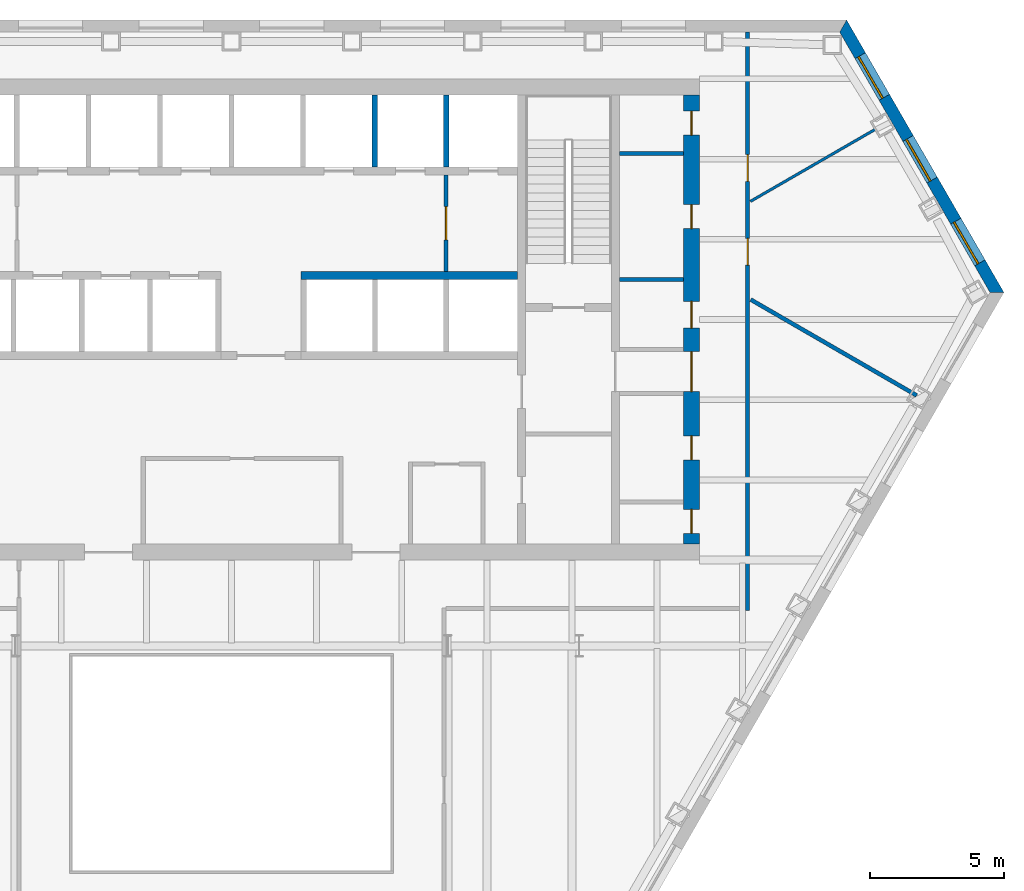
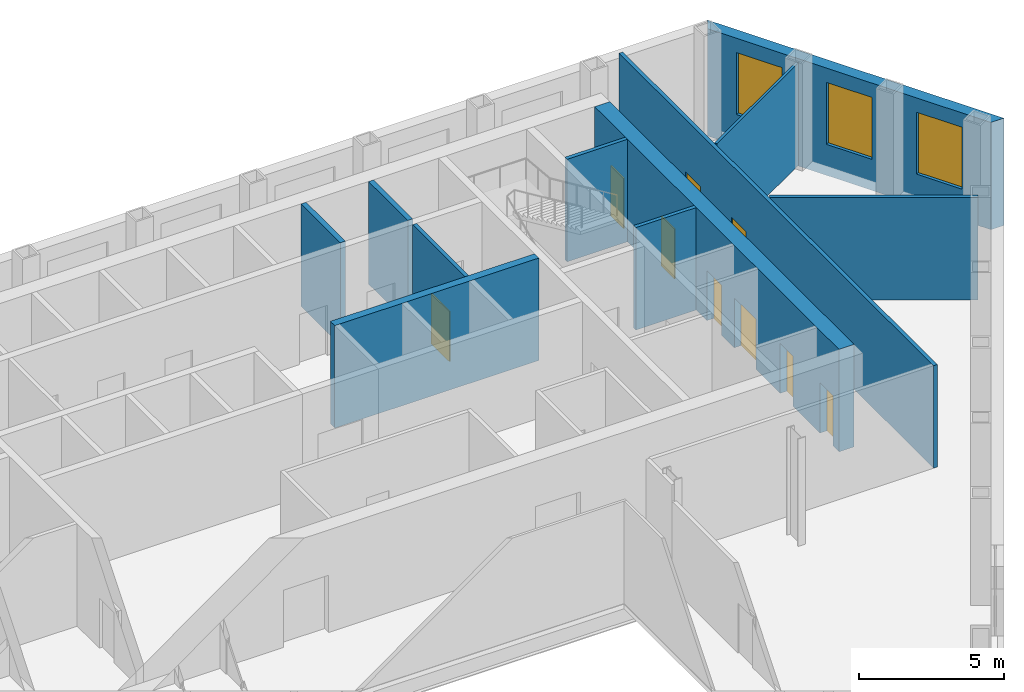
# One storey, part 8 of 11: 11 walls, 9 doors, 3 windows, 12 openings.
"""IFC4 building model written with IfcOpenShell, lengths in metres."""

import ifcopenshell
import ifcopenshell.guid

model = None  # the IFC model being written
_history = None  # IfcOwnerHistory: only IFC2X3 demands one
_inside = {}  # id of a spatial element -> (the spatial element, [elements in it])
_under = {}  # id of a project, library or spatial element -> (it, [spatial elements below it])
_declared = {}  # id of a project -> (the project, [libraries it declares])
_typed = {}  # id of a type object -> (the type object, [elements of that type])
_made_of = {}  # id of a material, layer set ... -> (it, [elements and type objects made of it])


def new_model(schema):
    """Start an empty IFC model of exactly this schema.

    Asked for "IFC4X3", IfcOpenShell would pick the latest addendum, in which some entities
    have other attributes; the version numbers below select the first issue.
    IFC2X3 requires an IfcOwnerHistory on every rooted entity: one is made here for all.
    """
    global model, _history
    if schema == "IFC4X3":
        model = ifcopenshell.file(schema_version=(4, 3, 0, 0))
    else:
        model = ifcopenshell.file(schema=schema)
    _inside.clear()
    _under.clear()
    _declared.clear()
    _typed.clear()
    _made_of.clear()
    _history = None
    if model.schema == "IFC2X3":
        org = make("IfcOrganization", Name="unknown")
        user = make(
            "IfcPersonAndOrganization",
            ThePerson=make("IfcPerson", FamilyName="unknown"),
            TheOrganization=org,
        )
        app = make(
            "IfcApplication",
            ApplicationDeveloper=org,
            Version="unknown",
            ApplicationFullName="unknown",
            ApplicationIdentifier="unknown",
        )
        _history = make(
            "IfcOwnerHistory",
            OwningUser=user,
            OwningApplication=app,
            ChangeAction="ADDED",
            CreationDate=0,
        )
    return model


def make(cls, **values):
    """One entity of the class cls with the attributes given. An attribute that is None is left unset."""
    return model.create_entity(
        cls, **{name: value for name, value in values.items() if value is not None}
    )


def rooted(cls, **values):
    """An entity with a GlobalId (a new one), such as an element, a storey or a relation."""
    return make(cls, GlobalId=ifcopenshell.guid.new(), OwnerHistory=_history, **values)


def si_unit(unit_type, name, prefix=None):
    """IfcSIUnit, for example si_unit("LENGTHUNIT", "METRE", prefix="MILLI")."""
    return make("IfcSIUnit", UnitType=unit_type, Prefix=prefix, Name=name)


def assignment(units):
    """IfcUnitAssignment: the units of a project."""
    return None if units is None else make("IfcUnitAssignment", Units=units)


def point(xyz):
    """IfcCartesianPoint."""
    return None if xyz is None else make("IfcCartesianPoint", Coordinates=xyz)


def direction(xyz):
    """IfcDirection."""
    return None if xyz is None else make("IfcDirection", DirectionRatios=xyz)


def frame(location, z_axis=None, x_axis=None):
    """IfcAxis2Placement3D, a coordinate frame: its origin and axes. An axis left out is left unset."""
    return make(
        "IfcAxis2Placement3D",
        Location=point(location),
        Axis=direction(z_axis),
        RefDirection=direction(x_axis),
    )


def frame_2d(location, x_axis=None):
    """IfcAxis2Placement2D, a coordinate frame in the plane: its origin and x axis."""
    return make(
        "IfcAxis2Placement2D", Location=point(location), RefDirection=direction(x_axis)
    )


def origin():
    """The frame at (0, 0, 0) with its axes left unset."""
    return frame((0.0, 0.0, 0.0))


def place(relative_to, where):
    """IfcLocalPlacement: puts the frame where relative to a parent placement (None: the world)."""
    return make(
        "IfcLocalPlacement", PlacementRelTo=relative_to, RelativePlacement=where
    )


def context(
    kind, dimensions, precision=None, world=None, true_north=None, identifier=None
):
    """IfcGeometricRepresentationContext, for example the 3D "Model" context."""
    return make(
        "IfcGeometricRepresentationContext",
        ContextIdentifier=identifier,
        ContextType=kind,
        CoordinateSpaceDimension=dimensions,
        Precision=precision,
        WorldCoordinateSystem=world,
        TrueNorth=true_north,
    )


def subcontext(parent, identifier, kind, view, scale=None):
    """IfcGeometricRepresentationSubContext, for example "Body" below "Model"."""
    return make(
        "IfcGeometricRepresentationSubContext",
        ContextIdentifier=identifier,
        ContextType=kind,
        ParentContext=parent,
        TargetScale=scale,
        TargetView=view,
    )


def project(units=None, contexts=None):
    """IfcProject with its units and contexts."""
    return rooted(
        "IfcProject",
        Name="project",
        RepresentationContexts=contexts,
        UnitsInContext=assignment(units),
    )


def spatial(cls, under=None, at=None, **own):
    """A site, building, storey or space (cls), placed at a placement, below another one or the project."""
    s = rooted(cls, ObjectPlacement=at, **own)
    if under is not None:
        _under.setdefault(under.id(), (under, []))[1].append(s)
    return s


def polyline(points):
    """IfcPolyline through the points."""
    return make("IfcPolyline", Points=[point(p) for p in points])


def profile(cls, at=None, kind="AREA", **sizes):
    """A parametric profile (cls). Its sizes go by their IFC names, for example OverallWidth=200.0."""
    return make(cls, ProfileType=kind, Position=at, **sizes)


def rectangle(**sizes):
    """IfcRectangleProfileDef."""
    return profile("IfcRectangleProfileDef", **sizes)


def outline(outer, holes=None, kind="AREA"):
    """IfcArbitraryClosedProfileDef: a profile drawn as a closed curve; with holes, ...WithVoids."""
    if holes is None:
        return make("IfcArbitraryClosedProfileDef", ProfileType=kind, OuterCurve=outer)
    return make(
        "IfcArbitraryProfileDefWithVoids",
        ProfileType=kind,
        OuterCurve=outer,
        InnerCurves=holes,
    )


def extrude(swept, where, along, depth):
    """IfcExtrudedAreaSolid: the profile swept, set in the frame where, extruded along a direction by depth."""
    return make(
        "IfcExtrudedAreaSolid",
        SweptArea=swept,
        Position=where,
        ExtrudedDirection=direction(along),
        Depth=depth,
    )


def shape(context_of_items, identifier, shape_type, items):
    """IfcShapeRepresentation: the items that make up one representation, for example the "Body"."""
    return make(
        "IfcShapeRepresentation",
        ContextOfItems=context_of_items,
        RepresentationIdentifier=identifier,
        RepresentationType=shape_type,
        Items=items,
    )


def material(Name=None, Category=None):
    """IfcMaterial."""
    return make("IfcMaterial", Name=Name, Category=Category)


def layer(
    of_material, thickness, ventilated=None, Name=None, Category=None, Priority=None
):
    """IfcMaterialLayer: one layer of a wall or slab, of a material (None: an air gap)."""
    return make(
        "IfcMaterialLayer",
        Material=of_material,
        LayerThickness=thickness,
        IsVentilated=ventilated,
        Name=Name,
        Category=Category,
        Priority=Priority,
    )


def layer_set(layers, Name=None):
    """IfcMaterialLayerSet."""
    return make("IfcMaterialLayerSet", MaterialLayers=layers, LayerSetName=Name)


def made_of(thing, what):
    """Note that an element or type object is made of a material, layer set ...; save() writes the relation."""
    if what is not None:
        _made_of.setdefault(what.id(), (what, []))[1].append(thing)
    return thing


def type_object(cls, material=None, **own):
    """A type object (cls), such as IfcWallType, which elements share."""
    return made_of(rooted(cls, **own), material)


def element(
    cls,
    number,
    at=None,
    inside=None,
    cuts=None,
    type_object=None,
    material=None,
    context=None,
    identifier="Body",
    shape_type=None,
    held_by="IfcProductDefinitionShape",
    body=None,
    shapes=None,
    **own,
):
    """One element of the class cls, such as IfcWall. Its Tag is "e" and its number.

    at: its placement. inside: the storey or other place that contains it. cuts: it is an
    opening in that element (IfcRelVoidsElement). A single representation is given by context,
    identifier, shape_type and body (its items); several are given by shapes. held_by: the class
    of the entity that holds the representations. save() writes the other relations.
    """
    e = rooted(cls, Tag="e%d" % number, ObjectPlacement=at, **own)
    if body is not None:
        shapes = [shape(context, identifier, shape_type, body)]
    if shapes is not None:
        e.Representation = make(held_by, Representations=shapes)
    if inside is not None:
        _inside.setdefault(inside.id(), (inside, []))[1].append(e)
    if cuts is not None:
        rooted(
            "IfcRelVoidsElement", RelatingBuildingElement=cuts, RelatedOpeningElement=e
        )
    if type_object is not None:
        _typed.setdefault(type_object.id(), (type_object, []))[1].append(e)
    return made_of(e, material)


def fill(opening, filler):
    """IfcRelFillsElement: the door or window that sits in an opening."""
    return rooted(
        "IfcRelFillsElement",
        RelatingOpeningElement=opening,
        RelatedBuildingElement=filler,
    )


def aggregate(whole, parts):
    """IfcRelAggregates: a whole, such as a stair, and the parts it consists of."""
    return rooted("IfcRelAggregates", RelatingObject=whole, RelatedObjects=parts)


def save(model, path):
    """Write the relations noted so far, then the file.

    IfcRelAggregates (storeys below a building ...), IfcRelContainedInSpatialStructure (elements
    in a storey), IfcRelDefinesByType, IfcRelAssociatesMaterial and IfcRelDeclares: one each for
    every whole, place, type object, material and project.
    """
    for whole, parts in _under.values():
        aggregate(whole, parts)
    for where, things in _inside.values():
        rooted(
            "IfcRelContainedInSpatialStructure",
            RelatedElements=things,
            RelatingStructure=where,
        )
    for kind, things in _typed.values():
        rooted("IfcRelDefinesByType", RelatedObjects=things, RelatingType=kind)
    for what, things in _made_of.values():
        rooted("IfcRelAssociatesMaterial", RelatedObjects=things, RelatingMaterial=what)
    for by, libraries in _declared.values():
        rooted("IfcRelDeclares", RelatingContext=by, RelatedDefinitions=libraries)
    model.write(path)


model = new_model("IFC4")

# Units and contexts
model_context = context("Model", 3, precision=1e-05, world=origin(), true_north=direction((0.0, 1.0)))
body_context = subcontext(model_context, "Body", "Model", "MODEL_VIEW")
ifc_project = project(units=[si_unit("LENGTHUNIT", "METRE"), si_unit("AREAUNIT", "SQUARE_METRE"), si_unit("VOLUMEUNIT", "CUBIC_METRE"), si_unit("PLANEANGLEUNIT", "RADIAN"), si_unit("MASSUNIT", "GRAM", prefix="KILO")], contexts=[model_context])

# Site, building, storey
site_placement = place(None, origin())
site = spatial("IfcSite", under=ifc_project, at=site_placement, CompositionType="ELEMENT")
building_placement = place(site_placement, origin())
building = spatial("IfcBuilding", under=site, at=building_placement, Name="Njiva Tower", CompositionType="ELEMENT")
storey_placement = place(building_placement, frame((0.0, 0.0, 33.3)))
storey = spatial("IfcBuildingStorey", under=building, at=storey_placement, Name="L06", CompositionType="ELEMENT", Elevation=33.3)

# Wall
ifc_material_1 = material(Name="Blockwork", Category="masonry")
ifc_layer_1 = layer(ifc_material_1, 0.15)
ifc_layer_set_1 = layer_set([ifc_layer_1], Name="Blockwork")
wall_type_1 = type_object("IfcWallType", Name="WT1 Compartment partition 150", PredefinedType="PARTITIONING", material=ifc_layer_set_1)
wall_1_placement = place(storey_placement, frame((14.5, 10.4885, 0.0), z_axis=(0.0, 0.0, 1.0), x_axis=(1.0, 0.0, 0.0)))
element("IfcWall", 1, at=wall_1_placement, inside=storey, type_object=wall_type_1, Name="Partition strip E10", PredefinedType="PARTITIONING", context=body_context, shape_type="SweptSolid", body=[
    extrude(rectangle(XDim=2.4, YDim=0.15, at=frame_2d((1.2, 0.0))), origin(), (0.0, 0.0, 1.0), 4.3),
])

# Wall, openings, doors
ifc_material_2 = material(Name="Concrete C60/75", Category="concrete")
ifc_layer_2 = layer(ifc_material_2, 0.6)
ifc_layer_set_2 = layer_set([ifc_layer_2], Name="Concrete C60/75")
wall_type_2 = type_object("IfcWallType", Name="WT15 Core wall 600", PredefinedType="SHEAR", material=ifc_layer_set_2)
wall_2_placement = place(storey_placement, frame((17.2, 0.6, 0.0), z_axis=(0.0, 0.0, 1.0), x_axis=(0.0, 1.0, 0.0)))
wall_2 = element("IfcWall", 2, at=wall_2_placement, inside=storey, type_object=wall_type_2, Name="Core wall east", PredefinedType="SHEAR", context=body_context, shape_type="SweptSolid", body=[
    extrude(rectangle(XDim=16.8, YDim=0.6, at=frame_2d((8.4, 0.0))), origin(), (0.0, 0.0, 1.0), 4.3),
])
opening_1_placement = place(wall_2_placement, frame((5.7, 0.0, 0.0)))
opening_1 = element("IfcOpeningElement", 3, at=opening_1_placement, cuts=wall_2, Name="Opening S02-D928", PredefinedType="OPENING", context=body_context, shape_type="SweptSolid", body=[
    extrude(rectangle(XDim=1.5, YDim=2.1, at=frame_2d((0.75, 1.05))), frame((0.0, 0.31, 0.0), z_axis=(0.0, -1.0, 0.0), x_axis=(1.0, 0.0, 0.0)), (0.0, 0.0, 1.0), 0.62),
])
opening_2_placement = place(wall_2_placement, frame((0.4, 0.0, 0.0)))
opening_2 = element("IfcOpeningElement", 4, at=opening_2_placement, cuts=wall_2, Name="Opening S02-D929", PredefinedType="OPENING", context=body_context, shape_type="SweptSolid", body=[
    extrude(rectangle(XDim=0.9, YDim=2.1, at=frame_2d((0.45, 1.05))), frame((0.0, 0.31, 0.0), z_axis=(0.0, -1.0, 0.0), x_axis=(1.0, 0.0, 0.0)), (0.0, 0.0, 1.0), 0.62),
])
opening_3_placement = place(wall_2_placement, frame((3.15, 0.0, 0.0)))
opening_3 = element("IfcOpeningElement", 5, at=opening_3_placement, cuts=wall_2, Name="Opening S02-D930", PredefinedType="OPENING", context=body_context, shape_type="SweptSolid", body=[
    extrude(rectangle(XDim=0.9, YDim=2.1, at=frame_2d((0.45, 1.05))), frame((0.0, 0.31, 0.0), z_axis=(0.0, -1.0, 0.0), x_axis=(1.0, 0.0, 0.0)), (0.0, 0.0, 1.0), 0.62),
])
opening_4_placement = place(wall_2_placement, frame((8.0817, 0.0, 0.0)))
opening_4 = element("IfcOpeningElement", 6, at=opening_4_placement, cuts=wall_2, Name="Opening S02-D931", PredefinedType="OPENING", context=body_context, shape_type="SweptSolid", body=[
    extrude(rectangle(XDim=1.0, YDim=2.1, at=frame_2d((0.5, 1.05))), frame((0.0, 0.31, 0.0), z_axis=(0.0, -1.0, 0.0), x_axis=(1.0, 0.0, 0.0)), (0.0, 0.0, 1.0), 0.62),
])
opening_5_placement = place(wall_2_placement, frame((11.801, 0.0, 0.0)))
opening_5 = element("IfcOpeningElement", 7, at=opening_5_placement, cuts=wall_2, Name="Opening S02-D932", PredefinedType="OPENING", context=body_context, shape_type="SweptSolid", body=[
    extrude(rectangle(XDim=0.9, YDim=2.1, at=frame_2d((0.45, 1.05))), frame((0.0, 0.31, 0.0), z_axis=(0.0, -1.0, 0.0), x_axis=(1.0, 0.0, 0.0)), (0.0, 0.0, 1.0), 0.62),
])
opening_6_placement = place(wall_2_placement, frame((15.2942, 0.0, 0.0)))
opening_6 = element("IfcOpeningElement", 8, at=opening_6_placement, cuts=wall_2, Name="Opening S02-D933", PredefinedType="OPENING", context=body_context, shape_type="SweptSolid", body=[
    extrude(rectangle(XDim=0.9, YDim=2.1, at=frame_2d((0.45, 1.05))), frame((0.0, 0.31, 0.0), z_axis=(0.0, -1.0, 0.0), x_axis=(1.0, 0.0, 0.0)), (0.0, 0.0, 1.0), 0.62),
])
ifc_material_3 = material(Name="Glazed steel fire door", Category="steel")
door_type_1 = type_object("IfcDoorType", Name="D10 Exit door double 1500x2100 glazed", OperationType="DOUBLE_DOOR_SINGLE_SWING", PredefinedType="DOOR", material=ifc_material_3)
door_1_placement = place(opening_1_placement, origin())
door_1 = element("IfcDoor", 9, at=door_1_placement, inside=storey, type_object=door_type_1, Name="Stair B corridor door", OperationType="DOUBLE_DOOR_SINGLE_SWING", OverallHeight=2.1, OverallWidth=1.5, PredefinedType="DOOR", context=body_context, shape_type="SweptSolid", body=[
    extrude(rectangle(XDim=1.5, YDim=2.1, at=frame_2d((0.75, 1.05))), frame((0.0, 0.025, 0.0), z_axis=(0.0, -1.0, 0.0), x_axis=(1.0, 0.0, 0.0)), (0.0, 0.0, 1.0), 0.05),
])
fill(opening_1, door_1)
ifc_material_4 = material(Name="Steel door, painted", Category="steel")
door_type_2 = type_object("IfcDoorType", Name="D4 Riser door 900x2100", OperationType="SINGLE_SWING_LEFT", PredefinedType="DOOR", material=ifc_material_4)
door_2_placement = place(opening_6_placement, origin())
door_2 = element("IfcDoor", 10, at=door_2_placement, inside=storey, type_object=door_type_2, Name="Riser door", OperationType="SINGLE_SWING_RIGHT", OverallHeight=2.1, OverallWidth=0.9, PredefinedType="DOOR", context=body_context, shape_type="SweptSolid", body=[
    extrude(rectangle(XDim=0.9, YDim=2.1, at=frame_2d((0.45, 1.05))), frame((0.0, 0.025, 0.0), z_axis=(0.0, -1.0, 0.0), x_axis=(1.0, 0.0, 0.0)), (0.0, 0.0, 1.0), 0.05),
])
fill(opening_6, door_2)
door_type_3 = type_object("IfcDoorType", Name="D5 Steel door 1000x2100", OperationType="SINGLE_SWING_LEFT", PredefinedType="DOOR", material=ifc_material_4)
door_3_placement = place(opening_4_placement, origin())
door_3 = element("IfcDoor", 11, at=door_3_placement, inside=storey, type_object=door_type_3, Name="Electrical room door", OperationType="SINGLE_SWING_LEFT", OverallHeight=2.1, OverallWidth=1.0, PredefinedType="DOOR", context=body_context, shape_type="SweptSolid", body=[
    extrude(rectangle(XDim=1.0, YDim=2.1, at=frame_2d((0.5, 1.05))), frame((0.0, 0.025, 0.0), z_axis=(0.0, -1.0, 0.0), x_axis=(1.0, 0.0, 0.0)), (0.0, 0.0, 1.0), 0.05),
])
fill(opening_4, door_3)
ifc_material_5 = material(Name="Steel fire door, painted", Category="steel")
door_type_4 = type_object("IfcDoorType", Name="D6 Fire-rated door 900x2100", OperationType="SINGLE_SWING_LEFT", PredefinedType="DOOR", material=ifc_material_5)
door_4_placement = place(opening_2_placement, origin())
door_4 = element("IfcDoor", 12, at=door_4_placement, inside=storey, type_object=door_type_4, Name="Cleaner's store door", OperationType="SINGLE_SWING_RIGHT", OverallHeight=2.1, OverallWidth=0.9, PredefinedType="DOOR", context=body_context, shape_type="SweptSolid", body=[
    extrude(rectangle(XDim=0.9, YDim=2.1, at=frame_2d((0.45, 1.05))), frame((0.0, 0.025, 0.0), z_axis=(0.0, -1.0, 0.0), x_axis=(1.0, 0.0, 0.0)), (0.0, 0.0, 1.0), 0.05),
])
fill(opening_2, door_4)
door_5_placement = place(opening_3_placement, origin())
door_5 = element("IfcDoor", 13, at=door_5_placement, inside=storey, type_object=door_type_4, Name="Reading room door", OperationType="SINGLE_SWING_RIGHT", OverallHeight=2.1, OverallWidth=0.9, PredefinedType="DOOR", context=body_context, shape_type="SweptSolid", body=[
    extrude(rectangle(XDim=0.9, YDim=2.1, at=frame_2d((0.45, 1.05))), frame((0.0, 0.025, 0.0), z_axis=(0.0, -1.0, 0.0), x_axis=(1.0, 0.0, 0.0)), (0.0, 0.0, 1.0), 0.05),
])
fill(opening_3, door_5)
door_6_placement = place(opening_5_placement, origin())
door_6 = element("IfcDoor", 14, at=door_6_placement, inside=storey, type_object=door_type_4, Name="Prayer room door", OperationType="SINGLE_SWING_LEFT", OverallHeight=2.1, OverallWidth=0.9, PredefinedType="DOOR", context=body_context, shape_type="SweptSolid", body=[
    extrude(rectangle(XDim=0.9, YDim=2.1, at=frame_2d((0.45, 1.05))), frame((0.0, 0.025, 0.0), z_axis=(0.0, -1.0, 0.0), x_axis=(1.0, 0.0, 0.0)), (0.0, 0.0, 1.0), 0.05),
])
fill(opening_5, door_6)

# Wall, opening, door
ifc_layer_3 = layer(ifc_material_1, 0.15)
ifc_layer_set_3 = layer_set([ifc_layer_3], Name="Blockwork")
wall_type_3 = type_object("IfcWallType", Name="WT2 Lobby partition 150", PredefinedType="PARTITIONING", material=ifc_layer_set_3)
wall_3_placement = place(storey_placement, frame((8.025, 10.8, 0.0), z_axis=(0.0, 0.0, 1.0), x_axis=(0.0, 1.0, 0.0)))
wall_3 = element("IfcWall", 15, at=wall_3_placement, inside=storey, type_object=wall_type_3, Name="Firefighting lobby wall B", PredefinedType="PARTITIONING", context=body_context, shape_type="SweptSolid", body=[
    extrude(rectangle(XDim=3.6, YDim=0.15, at=frame_2d((1.8, 0.0))), origin(), (0.0, 0.0, 1.0), 4.3),
])
opening_7_placement = place(wall_3_placement, frame((1.175, 0.0, 0.0)))
opening_7 = element("IfcOpeningElement", 16, at=opening_7_placement, cuts=wall_3, Name="Opening S02-D916", PredefinedType="OPENING", context=body_context, shape_type="SweptSolid", body=[
    extrude(rectangle(XDim=1.25, YDim=2.1, at=frame_2d((0.625, 1.05))), frame((0.0, 0.085, 0.0), z_axis=(0.0, -1.0, 0.0), x_axis=(1.0, 0.0, 0.0)), (0.0, 0.0, 1.0), 0.17),
])
door_type_5 = type_object("IfcDoorType", Name="D8 Vestibule corridor door 1250x2100 glazed", OperationType="SINGLE_SWING_LEFT", PredefinedType="DOOR", material=ifc_material_3)
door_7_placement = place(opening_7_placement, origin())
door_7 = element("IfcDoor", 17, at=door_7_placement, inside=storey, type_object=door_type_5, Name="Stair vestibule corridor door", OperationType="SINGLE_SWING_LEFT", OverallHeight=2.1, OverallWidth=1.25, PredefinedType="DOOR", context=body_context, shape_type="SweptSolid", body=[
    extrude(rectangle(XDim=1.25, YDim=2.1, at=frame_2d((0.625, 1.05))), frame((0.0, 0.025, 0.0), z_axis=(0.0, -1.0, 0.0), x_axis=(1.0, 0.0, 0.0)), (0.0, 0.0, 1.0), 0.05),
])
fill(opening_7, door_7)

# Wall
ifc_material_6 = material(Name="Gypsum board on steel studs", Category="gypsum")
ifc_layer_4 = layer(ifc_material_6, 0.1)
ifc_layer_set_4 = layer_set([ifc_layer_4], Name="Gypsum board on steel studs")
wall_type_4 = type_object("IfcWallType", Name="WT20 Gypsum partition 100", PredefinedType="PARTITIONING", material=ifc_layer_set_4)
wall_4_placement = place(storey_placement, frame((19.401, 13.416, 0.0), z_axis=(0.0, 0.0, 1.0), x_axis=(0.866108468144, 0.499856100702, 0.0)))
element("IfcWall", 18, at=wall_4_placement, inside=storey, type_object=wall_type_4, Name="Partition S02-P020", PredefinedType="PARTITIONING", context=body_context, shape_type="SweptSolid", body=[
    extrude(rectangle(XDim=5.6136, YDim=0.1, at=frame_2d((2.8068, 0.0))), origin(), (0.0, 0.0, 1.0), 4.3),
])

# Wall, openings, doors
ifc_layer_5 = layer(ifc_material_6, 0.15)
ifc_layer_set_5 = layer_set([ifc_layer_5], Name="Gypsum board on steel studs")
wall_type_5 = type_object("IfcWallType", Name="WT21 Compartment wall 150", PredefinedType="PARTITIONING", material=ifc_layer_set_5)
wall_5_placement = place(storey_placement, frame((19.3, -1.875, 0.0), z_axis=(0.0, 0.0, 1.0), x_axis=(4.6242775e-05, 0.999999998931, 0.0)))
wall_5 = element("IfcWall", 19, at=wall_5_placement, inside=storey, type_object=wall_type_5, Name="Partition S02-P019", PredefinedType="PARTITIONING", context=body_context, shape_type="SweptSolid", body=[
    extrude(rectangle(XDim=21.625, YDim=0.15, at=frame_2d((10.8125, 0.0))), origin(), (0.0, 0.0, 1.0), 4.3),
])
opening_8_placement = place(wall_5_placement, frame((12.908, 0.0, 0.0)))
opening_8 = element("IfcOpeningElement", 20, at=opening_8_placement, cuts=wall_5, Name="Opening S02-D012", PredefinedType="OPENING", context=body_context, shape_type="SweptSolid", body=[
    extrude(rectangle(XDim=1.0, YDim=2.1, at=frame_2d((0.5, 1.05))), frame((0.0, 0.085, 0.0), z_axis=(0.0, -1.0, 0.0), x_axis=(1.0, 0.0, 0.0)), (0.0, 0.0, 1.0), 0.17),
])
opening_9_placement = place(wall_5_placement, frame((16.038, 0.0, 0.0)))
opening_9 = element("IfcOpeningElement", 21, at=opening_9_placement, cuts=wall_5, Name="Opening S02-D013", PredefinedType="OPENING", context=body_context, shape_type="SweptSolid", body=[
    extrude(rectangle(XDim=1.0, YDim=2.1, at=frame_2d((0.5, 1.05))), frame((0.0, 0.085, 0.0), z_axis=(0.0, -1.0, 0.0), x_axis=(1.0, 0.0, 0.0)), (0.0, 0.0, 1.0), 0.17),
])
ifc_material_7 = material(Name="Steel fire door set", Category="steel")
door_type_6 = type_object("IfcDoorType", Name="D37 Fire door 1000x2100", OperationType="SINGLE_SWING_LEFT", PredefinedType="DOOR", material=ifc_material_7)
door_8_placement = place(opening_8_placement, origin())
door_8 = element("IfcDoor", 22, at=door_8_placement, inside=storey, type_object=door_type_6, Name="Door S02-D012", OperationType="SINGLE_SWING_RIGHT", OverallHeight=2.1, OverallWidth=1.0, PredefinedType="DOOR", context=body_context, shape_type="SweptSolid", body=[
    extrude(rectangle(XDim=1.0, YDim=2.1, at=frame_2d((0.5, 1.05))), frame((0.0, 0.025, 0.0), z_axis=(0.0, -1.0, 0.0), x_axis=(1.0, 0.0, 0.0)), (0.0, 0.0, 1.0), 0.05),
])
fill(opening_8, door_8)
door_9_placement = place(opening_9_placement, origin())
door_9 = element("IfcDoor", 23, at=door_9_placement, inside=storey, type_object=door_type_6, Name="Door S02-D013", OperationType="SINGLE_SWING_RIGHT", OverallHeight=2.1, OverallWidth=1.0, PredefinedType="DOOR", context=body_context, shape_type="SweptSolid", body=[
    extrude(rectangle(XDim=1.0, YDim=2.1, at=frame_2d((0.5, 1.05))), frame((0.0, 0.025, 0.0), z_axis=(0.0, -1.0, 0.0), x_axis=(1.0, 0.0, 0.0)), (0.0, 0.0, 1.0), 0.05),
])
fill(opening_9, door_9)

# Walls
wall_6_placement = place(storey_placement, frame((19.413, 9.746, 0.0), z_axis=(0.0, 0.0, 1.0), x_axis=(0.865976502062, -0.500084690704, 0.0)))
element("IfcWall", 24, at=wall_6_placement, inside=storey, type_object=wall_type_5, Name="Partition S02-P021", PredefinedType="PARTITIONING", context=body_context, shape_type="SweptSolid", body=[
    extrude(rectangle(XDim=7.1688, YDim=0.15, at=frame_2d((3.5844, 0.0))), origin(), (0.0, 0.0, 1.0), 4.3),
])
ifc_layer_6 = layer(ifc_material_1, 0.15)
ifc_layer_set_6 = layer_set([ifc_layer_6], Name="Blockwork")
wall_type_6 = type_object("IfcWallType", Name="WT3 Riser partition 150", PredefinedType="PARTITIONING", material=ifc_layer_set_6)
wall_7_placement = place(storey_placement, frame((14.5, 15.2135, 0.0), z_axis=(0.0, 0.0, 1.0), x_axis=(1.0, 0.0, 0.0)))
element("IfcWall", 25, at=wall_7_placement, inside=storey, type_object=wall_type_6, Name="Partition strip E11", PredefinedType="PARTITIONING", context=body_context, shape_type="SweptSolid", body=[
    extrude(rectangle(XDim=2.4, YDim=0.15, at=frame_2d((1.2, 0.0))), origin(), (0.0, 0.0, 1.0), 4.3),
])
ifc_material_8 = material(Name="Concrete C40/50", Category="concrete")
ifc_layer_7 = layer(ifc_material_8, 0.2)
ifc_layer_set_7 = layer_set([ifc_layer_7], Name="Concrete C40/50")
wall_type_7 = type_object("IfcWallType", Name="WT6 Lift shaft wall 200", PredefinedType="SHEAR", material=ifc_layer_set_7)
for number, where, z_axis, x_axis, name in (
    (26, (5.35, 14.7, 0.0), (0.0, 0.0, 1.0), (0.0, 1.0, 0.0), "Shaft wall CN6"),
    (27, (8.025, 14.7, 0.0), (0.0, 0.0, 1.0), (0.0, 1.0, 0.0), "Shaft wall CN7"),
):
    element("IfcWall", number, at=place(storey_placement, frame(where, z_axis=z_axis, x_axis=x_axis)), inside=storey, type_object=wall_type_7, Name=name, PredefinedType="SHEAR", context=body_context, shape_type="SweptSolid", body=[
        extrude(rectangle(XDim=2.7, YDim=0.2, at=frame_2d((1.35, 0.0))), origin(), (0.0, 0.0, 1.0), 4.3),
    ])
ifc_layer_8 = layer(ifc_material_8, 0.3)
ifc_layer_set_8 = layer_set([ifc_layer_8], Name="Concrete C40/50")
wall_type_8 = type_object("IfcWallType", Name="WT7 Lift shaft wall 300", PredefinedType="SHEAR", material=ifc_layer_set_8)
wall_8_placement = place(storey_placement, frame((2.6, 10.65, 0.0), z_axis=(0.0, 0.0, 1.0), x_axis=(1.0, 0.0, 0.0)))
element("IfcWall", 28, at=wall_8_placement, inside=storey, type_object=wall_type_8, Name="Shaft wall south row lobby side E", PredefinedType="SHEAR", context=body_context, shape_type="SweptSolid", body=[
    extrude(rectangle(XDim=8.1, YDim=0.3, at=frame_2d((4.05, 0.0))), origin(), (0.0, 0.0, 1.0), 4.3),
])

# Wall, openings, windows
ifc_material_9 = material(Name="Brick masonry, buff", Category="masonry")
ifc_layer_9 = layer(ifc_material_9, 0.45)
ifc_layer_set_9 = layer_set([ifc_layer_9], Name="Brick masonry, buff")
wall_type_9 = type_object("IfcWallType", Name="WT94 Brick pier and spandrel wall 450, buff", PredefinedType="SOLIDWALL", material=ifc_layer_set_9)
wall_9_placement = place(storey_placement, frame((28.6214, 10.0134, -0.4), z_axis=(0.0, 0.0, 1.0), x_axis=(-0.500002460556, 0.866023983177, 0.0)))
wall_9 = element("IfcWall", 29, at=wall_9_placement, inside=storey, type_object=wall_type_9, Name="Facade wall NE", PredefinedType="SOLIDWALL", context=body_context, shape_type="SweptSolid", body=[
    extrude(outline(polyline([(-0.1299, -0.225), (11.63, -0.225), (11.3702, 0.225), (0.1299, 0.225), (-0.1299, -0.225)])), origin(), (0.0, 0.0, 1.0), 4.5),
])
opening_10_placement = place(wall_9_placement, frame((1.2764, 0.0, 1.3)))
opening_10 = element("IfcOpeningElement", 30, at=opening_10_placement, cuts=wall_9, Name="Opening S02-W35", PredefinedType="OPENING", context=body_context, shape_type="SweptSolid", body=[
    extrude(rectangle(XDim=1.8, YDim=2.6, at=frame_2d((0.9, 1.3))), frame((0.0, 0.235, 0.0), z_axis=(0.0, -1.0, 0.0), x_axis=(1.0, 0.0, 0.0)), (0.0, 0.0, 1.0), 0.47),
])
opening_11_placement = place(wall_9_placement, frame((4.8501, 0.0, 1.3)))
opening_11 = element("IfcOpeningElement", 31, at=opening_11_placement, cuts=wall_9, Name="Opening S02-W36", PredefinedType="OPENING", context=body_context, shape_type="SweptSolid", body=[
    extrude(rectangle(XDim=1.8, YDim=2.6, at=frame_2d((0.9, 1.3))), frame((0.0, 0.235, 0.0), z_axis=(0.0, -1.0, 0.0), x_axis=(1.0, 0.0, 0.0)), (0.0, 0.0, 1.0), 0.47),
])
opening_12_placement = place(wall_9_placement, frame((8.4237, 0.0, 1.3)))
opening_12 = element("IfcOpeningElement", 32, at=opening_12_placement, cuts=wall_9, Name="Opening S02-W37", PredefinedType="OPENING", context=body_context, shape_type="SweptSolid", body=[
    extrude(rectangle(XDim=1.8, YDim=2.6, at=frame_2d((0.9, 1.3))), frame((0.0, 0.235, 0.0), z_axis=(0.0, -1.0, 0.0), x_axis=(1.0, 0.0, 0.0)), (0.0, 0.0, 1.0), 0.47),
])
ifc_material_10 = material(Name="Clear glazing in aluminium frame", Category="aluminium")
window_type = type_object("IfcWindowType", Name="W96 Deep-set window 1800x2600", PartitioningType="SINGLE_PANEL", PredefinedType="WINDOW", material=ifc_material_10)
window_1_placement = place(opening_10_placement, origin())
window_1 = element("IfcWindow", 33, at=window_1_placement, inside=storey, type_object=window_type, Name="Window", OverallHeight=2.6, OverallWidth=1.8, PartitioningType="SINGLE_PANEL", PredefinedType="WINDOW", context=body_context, shape_type="SweptSolid", body=[
    extrude(rectangle(XDim=1.8, YDim=2.6, at=frame_2d((0.9, 1.3))), frame((0.0, 0.105, 0.0), z_axis=(0.0, -1.0, 0.0), x_axis=(1.0, 0.0, 0.0)), (0.0, 0.0, 1.0), 0.06),
])
fill(opening_10, window_1)
window_2_placement = place(opening_11_placement, origin())
window_2 = element("IfcWindow", 34, at=window_2_placement, inside=storey, type_object=window_type, Name="Window", OverallHeight=2.6, OverallWidth=1.8, PartitioningType="SINGLE_PANEL", PredefinedType="WINDOW", context=body_context, shape_type="SweptSolid", body=[
    extrude(rectangle(XDim=1.8, YDim=2.6, at=frame_2d((0.9, 1.3))), frame((0.0, 0.105, 0.0), z_axis=(0.0, -1.0, 0.0), x_axis=(1.0, 0.0, 0.0)), (0.0, 0.0, 1.0), 0.06),
])
fill(opening_11, window_2)
window_3_placement = place(opening_12_placement, origin())
window_3 = element("IfcWindow", 35, at=window_3_placement, inside=storey, type_object=window_type, Name="Window", OverallHeight=2.6, OverallWidth=1.8, PartitioningType="SINGLE_PANEL", PredefinedType="WINDOW", context=body_context, shape_type="SweptSolid", body=[
    extrude(rectangle(XDim=1.8, YDim=2.6, at=frame_2d((0.9, 1.3))), frame((0.0, 0.105, 0.0), z_axis=(0.0, -1.0, 0.0), x_axis=(1.0, 0.0, 0.0)), (0.0, 0.0, 1.0), 0.06),
])
fill(opening_12, window_3)

save(model, "model.ifc")
